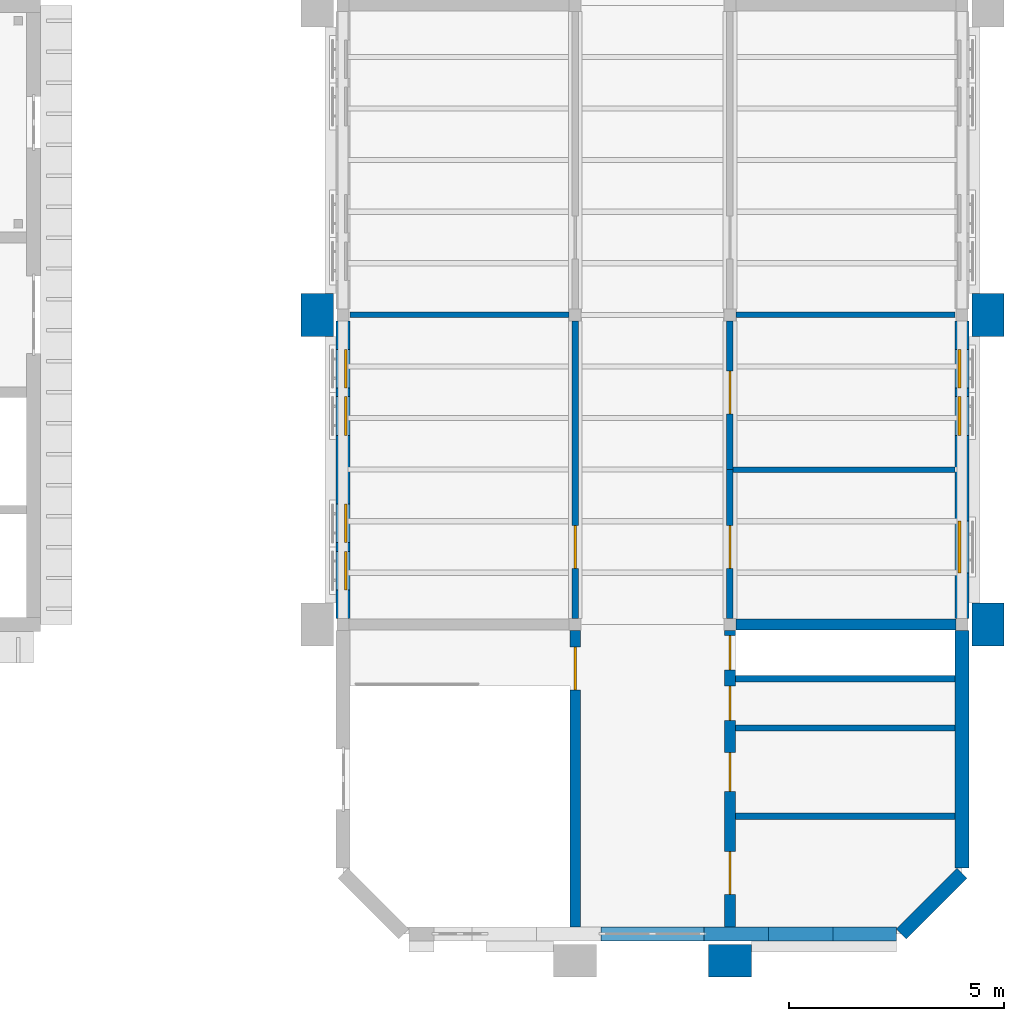
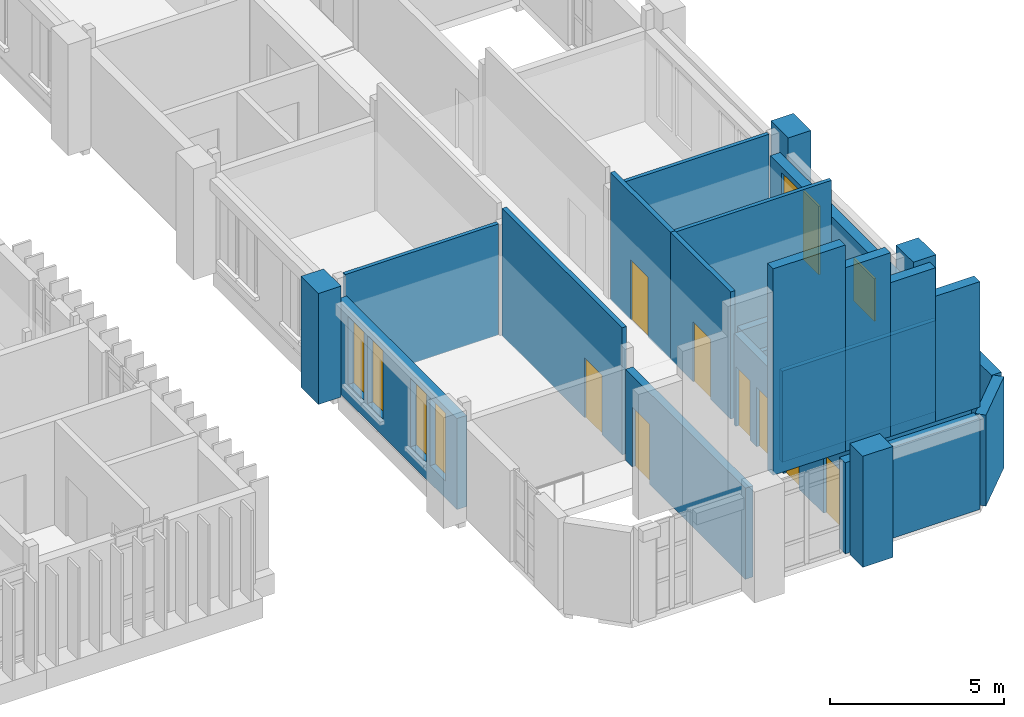
# One storey, part 46 of 71: 25 walls, 8 doors, 7 windows, 15 openings.
"""IFC4 building model written with IfcOpenShell, lengths in metres."""

from ifc_helpers import new_model, si_unit, direction, frame, frame_2d, origin, place, context, subcontext, project, spatial, rectangle, extrude, material, layer, layer_set, type_object, element, fill, save


model = new_model("IFC4")

# Units and contexts
model_context = context("Model", 3, precision=1e-05, world=origin(), true_north=direction((0.0, 1.0)))
body_context = subcontext(model_context, "Body", "Model", "MODEL_VIEW")
ifc_project = project(units=[si_unit("LENGTHUNIT", "METRE"), si_unit("AREAUNIT", "SQUARE_METRE"), si_unit("VOLUMEUNIT", "CUBIC_METRE"), si_unit("PLANEANGLEUNIT", "RADIAN"), si_unit("MASSUNIT", "GRAM", prefix="KILO")], contexts=[model_context])

# Site, building, storey
site_placement = place(None, origin())
site = spatial("IfcSite", under=ifc_project, at=site_placement, CompositionType="ELEMENT")
building_placement = place(site_placement, origin())
building = spatial("IfcBuilding", under=site, at=building_placement, Name="Mazhai Court Health Centre", CompositionType="ELEMENT")
storey_placement = place(building_placement, frame((0.0, 0.0, 10.199951171875)))
storey = spatial("IfcBuildingStorey", under=building, at=storey_placement, Name="L02", CompositionType="ELEMENT", Elevation=10.199951171875)

# Walls
ifc_material_1 = material(Name="Clay brick masonry", Category="masonry")
ifc_layer_1 = layer(ifc_material_1, 0.330078125)
ifc_layer_set_1 = layer_set([ifc_layer_1], Name="BRICK GABLE 330")
wall_type_1 = type_object("IfcWallType", Name="BRICK GABLE 330", PredefinedType="SOLIDWALL", material=ifc_layer_set_1)
wall_1_placement = place(storey_placement, frame((144.199951171875, 6.199951171875, 3.60009765625), z_axis=(0.0, 0.0, 1.0), x_axis=(-1.0, 0.0, 0.0)))
element("IfcWall", 1, at=wall_1_placement, inside=storey, type_object=wall_type_1, Name="EG-V6-S3", PredefinedType="SOLIDWALL", context=body_context, shape_type="SweptSolid", body=[
    extrude(rectangle(XDim=2.39990234375, YDim=0.330078125, at=frame_2d((1.199951171875, 0.0))), origin(), (0.0, 0.0, 1.0), 7.25),
])
wall_2_placement = place(storey_placement, frame((145.699951171875, 6.199951171875, 3.60009765625), z_axis=(0.0, 0.0, 1.0), x_axis=(-1.0, 0.0, 0.0)))
element("IfcWall", 2, at=wall_2_placement, inside=storey, type_object=wall_type_1, Name="EG-V6-S4", PredefinedType="SOLIDWALL", context=body_context, shape_type="SweptSolid", body=[
    extrude(rectangle(XDim=1.5, YDim=0.330078125, at=frame_2d((0.75, 0.0))), origin(), (0.0, 0.0, 1.0), 6.449951171875),
])
wall_3_placement = place(storey_placement, frame((147.199951171875, 6.199951171875, 3.60009765625), z_axis=(0.0, 0.0, 1.0), x_axis=(-1.0, 0.0, 0.0)))
element("IfcWall", 3, at=wall_3_placement, inside=storey, type_object=wall_type_1, Name="EG-V6-S5", PredefinedType="SOLIDWALL", context=body_context, shape_type="SweptSolid", body=[
    extrude(rectangle(XDim=1.5, YDim=0.330078125, at=frame_2d((0.75, 0.0))), origin(), (0.0, 0.0, 1.0), 5.39990234375),
])
wall_4_placement = place(storey_placement, frame((148.6689453125, 6.199951171875, 3.60009765625), z_axis=(0.0, 0.0, 1.0), x_axis=(-1.0, 0.0, 0.0)))
element("IfcWall", 4, at=wall_4_placement, inside=storey, type_object=wall_type_1, Name="EG-V6-S6", PredefinedType="SOLIDWALL", context=body_context, shape_type="SweptSolid", body=[
    extrude(rectangle(XDim=1.468994140625, YDim=0.330078125, at=frame_2d((0.734375, 0.0))), origin(), (0.0, 0.0, 1.0), 4.39990234375),
])
ifc_material_2 = material(Name="Clay brick masonry", Category="masonry")
ifc_layer_2 = layer(ifc_material_2, 0.75)
ifc_layer_set_2 = layer_set([ifc_layer_2], Name="BRICK PIER 750")
wall_type_2 = type_object("IfcWallType", Name="BRICK PIER 750", PredefinedType="SOLIDWALL", material=ifc_layer_set_2)
for number, where, z_axis, x_axis, name in (
    (5, (135.199951171875, 20.10009765625, 0.0), (0.0, 0.0, 1.0), (0.0, 1.0, 0.0), "EP-V6-L02-A2"),
    (6, (150.800048828125, 13.89990234375, 0.0), (0.0, 0.0, 1.0), (0.0, -1.0, 0.0), "EP-V6-L02-B1"),
    (7, (150.800048828125, 21.10009765625, 0.0), (0.0, 0.0, 1.0), (0.0, -1.0, 0.0), "EP-V6-L02-B2"),
    (8, (145.300048828125, 5.574951171875, 0.0), (0.0, 0.0, 1.0), (-1.0, 0.0, 0.0), "EP-V6-L02-S90"),
):
    element("IfcWall", number, at=place(storey_placement, frame(where, z_axis=z_axis, x_axis=x_axis)), inside=storey, type_object=wall_type_2, Name=name, PredefinedType="SOLIDWALL", context=body_context, shape_type="SweptSolid", body=[
        extrude(rectangle(XDim=1.0, YDim=0.75, at=frame_2d((0.5, 0.0))), origin(), (0.0, 0.0, 1.0), 3.900146484375),
    ])

# Wall, openings, windows
ifc_material_3 = material(Name="Clay brick masonry", Category="masonry")
ifc_layer_3 = layer(ifc_material_3, 0.330078125)
ifc_layer_set_3 = layer_set([ifc_layer_3], Name="BRICK WALL 330 EXTERNAL")
wall_type_3 = type_object("IfcWallType", Name="BRICK WALL 330 EXTERNAL", PredefinedType="SOLIDWALL", material=ifc_layer_set_3)
wall_5_placement = place(storey_placement, frame((135.800048828125, 13.5400390625, 0.0), z_axis=(0.0, 0.0, 1.0), x_axis=(0.0, 1.0, 0.0)))
wall_5 = element("IfcWall", 9, at=wall_5_placement, inside=storey, type_object=wall_type_3, Name="EW-V6-L02-A1p0", PredefinedType="SOLIDWALL", context=body_context, shape_type="SweptSolid", body=[
    extrude(rectangle(XDim=6.919921875, YDim=0.330078125, at=frame_2d((3.4599609375, 0.0))), origin(), (0.0, 0.0, 1.0), 3.199951171875),
])
opening_1_placement = place(wall_5_placement, frame((0.659912109375, 0.0, 0.60009765625)))
opening_1 = element("IfcOpeningElement", 10, at=opening_1_placement, cuts=wall_5, Name="Opening W14", PredefinedType="OPENING", context=body_context, shape_type="SweptSolid", body=[
    extrude(rectangle(XDim=0.89990234375, YDim=2.39990234375, at=frame_2d((0.449951171875, 1.199951171875))), frame((0.0, 0.175048828125, 0.0), z_axis=(0.0, -1.0, 0.0), x_axis=(1.0, 0.0, 0.0)), (0.0, 0.0, 1.0), 0.35009765625),
])
opening_2_placement = place(wall_5_placement, frame((1.760009765625, 0.0, 0.60009765625)))
opening_2 = element("IfcOpeningElement", 11, at=opening_2_placement, cuts=wall_5, Name="Opening W14", PredefinedType="OPENING", context=body_context, shape_type="SweptSolid", body=[
    extrude(rectangle(XDim=0.89990234375, YDim=2.39990234375, at=frame_2d((0.449951171875, 1.199951171875))), frame((0.0, 0.175048828125, 0.0), z_axis=(0.0, -1.0, 0.0), x_axis=(1.0, 0.0, 0.0)), (0.0, 0.0, 1.0), 0.35009765625),
])
opening_3_placement = place(wall_5_placement, frame((4.260009765625, 0.0, 0.60009765625)))
opening_3 = element("IfcOpeningElement", 12, at=opening_3_placement, cuts=wall_5, Name="Opening W14", PredefinedType="OPENING", context=body_context, shape_type="SweptSolid", body=[
    extrude(rectangle(XDim=0.89990234375, YDim=2.39990234375, at=frame_2d((0.449951171875, 1.199951171875))), frame((0.0, 0.175048828125, 0.0), z_axis=(0.0, -1.0, 0.0), x_axis=(1.0, 0.0, 0.0)), (0.0, 0.0, 1.0), 0.35009765625),
])
opening_4_placement = place(wall_5_placement, frame((5.360107421875, 0.0, 0.60009765625)))
opening_4 = element("IfcOpeningElement", 13, at=opening_4_placement, cuts=wall_5, Name="Opening W14", PredefinedType="OPENING", context=body_context, shape_type="SweptSolid", body=[
    extrude(rectangle(XDim=0.89990234375, YDim=2.39990234375, at=frame_2d((0.449951171875, 1.199951171875))), frame((0.0, 0.175048828125, 0.0), z_axis=(0.0, -1.0, 0.0), x_axis=(1.0, 0.0, 0.0)), (0.0, 0.0, 1.0), 0.35009765625),
])
ifc_material_4 = material(Name="Teak timber frame, glazed", Category="wood")
window_type_1 = type_object("IfcWindowType", Name="WINDOW TALL PAIRED 900x2400", PartitioningType="SINGLE_PANEL", PredefinedType="WINDOW", material=ifc_material_4)
window_1_placement = place(opening_1_placement, origin())
window_1 = element("IfcWindow", 14, at=window_1_placement, inside=storey, type_object=window_type_1, Name="W14 WN-V6-L02-A10a", OverallHeight=2.39990234375, OverallWidth=0.89990234375, PartitioningType="SINGLE_PANEL", PredefinedType="WINDOW", context=body_context, shape_type="SweptSolid", body=[
    extrude(rectangle(XDim=0.89990234375, YDim=2.39990234375, at=frame_2d((0.449951171875, 1.199951171875))), frame((0.0, -0.030029296875, 0.0), z_axis=(0.0, -1.0, 0.0), x_axis=(1.0, 0.0, 0.0)), (0.0, 0.0, 1.0), 0.06005859375),
])
fill(opening_1, window_1)
window_2_placement = place(opening_2_placement, origin())
window_2 = element("IfcWindow", 15, at=window_2_placement, inside=storey, type_object=window_type_1, Name="W14 WN-V6-L02-A10b", OverallHeight=2.39990234375, OverallWidth=0.89990234375, PartitioningType="SINGLE_PANEL", PredefinedType="WINDOW", context=body_context, shape_type="SweptSolid", body=[
    extrude(rectangle(XDim=0.89990234375, YDim=2.39990234375, at=frame_2d((0.449951171875, 1.199951171875))), frame((0.0, -0.030029296875, 0.0), z_axis=(0.0, -1.0, 0.0), x_axis=(1.0, 0.0, 0.0)), (0.0, 0.0, 1.0), 0.06005859375),
])
fill(opening_2, window_2)
window_3_placement = place(opening_3_placement, origin())
window_3 = element("IfcWindow", 16, at=window_3_placement, inside=storey, type_object=window_type_1, Name="W14 WN-V6-L02-A11a", OverallHeight=2.39990234375, OverallWidth=0.89990234375, PartitioningType="SINGLE_PANEL", PredefinedType="WINDOW", context=body_context, shape_type="SweptSolid", body=[
    extrude(rectangle(XDim=0.89990234375, YDim=2.39990234375, at=frame_2d((0.449951171875, 1.199951171875))), frame((0.0, -0.030029296875, 0.0), z_axis=(0.0, -1.0, 0.0), x_axis=(1.0, 0.0, 0.0)), (0.0, 0.0, 1.0), 0.06005859375),
])
fill(opening_3, window_3)
window_4_placement = place(opening_4_placement, origin())
window_4 = element("IfcWindow", 17, at=window_4_placement, inside=storey, type_object=window_type_1, Name="W14 WN-V6-L02-A11b", OverallHeight=2.39990234375, OverallWidth=0.89990234375, PartitioningType="SINGLE_PANEL", PredefinedType="WINDOW", context=body_context, shape_type="SweptSolid", body=[
    extrude(rectangle(XDim=0.89990234375, YDim=2.39990234375, at=frame_2d((0.449951171875, 1.199951171875))), frame((0.0, -0.030029296875, 0.0), z_axis=(0.0, -1.0, 0.0), x_axis=(1.0, 0.0, 0.0)), (0.0, 0.0, 1.0), 0.06005859375),
])
fill(opening_4, window_4)

# Wall
wall_6_placement = place(storey_placement, frame((150.199951171875, 13.260009765625, 0.0), z_axis=(0.0, 0.0, 1.0), x_axis=(0.0, -1.0, 0.0)))
element("IfcWall", 18, at=wall_6_placement, inside=storey, type_object=wall_type_3, Name="EW-V6-L02-B0", PredefinedType="SOLIDWALL", context=body_context, shape_type="SweptSolid", body=[
    extrude(rectangle(XDim=5.529052734375, YDim=0.330078125, at=frame_2d((2.7646484375, 0.0))), origin(), (0.0, 0.0, 1.0), 3.199951171875),
])

# Wall, openings, windows
wall_7_placement = place(storey_placement, frame((150.199951171875, 20.4599609375, 0.0), z_axis=(0.0, 0.0, 1.0), x_axis=(0.0, -1.0, 0.0)))
wall_7 = element("IfcWall", 19, at=wall_7_placement, inside=storey, type_object=wall_type_3, Name="EW-V6-L02-B1p0", PredefinedType="SOLIDWALL", context=body_context, shape_type="SweptSolid", body=[
    extrude(rectangle(XDim=6.919921875, YDim=0.330078125, at=frame_2d((3.4599609375, 0.0))), origin(), (0.0, 0.0, 1.0), 3.199951171875),
])
opening_5_placement = place(wall_7_placement, frame((4.659912109375, 0.0, 0.89990234375)))
opening_5 = element("IfcOpeningElement", 20, at=opening_5_placement, cuts=wall_7, Name="Opening W12", PredefinedType="OPENING", context=body_context, shape_type="SweptSolid", body=[
    extrude(rectangle(XDim=1.199951171875, YDim=1.5, at=frame_2d((0.60009765625, 0.75))), frame((0.0, 0.175048828125, 0.0), z_axis=(0.0, -1.0, 0.0), x_axis=(1.0, 0.0, 0.0)), (0.0, 0.0, 1.0), 0.35009765625),
])
opening_6_placement = place(wall_7_placement, frame((1.760009765625, 0.0, 0.60009765625)))
opening_6 = element("IfcOpeningElement", 21, at=opening_6_placement, cuts=wall_7, Name="Opening W14", PredefinedType="OPENING", context=body_context, shape_type="SweptSolid", body=[
    extrude(rectangle(XDim=0.89990234375, YDim=2.39990234375, at=frame_2d((0.449951171875, 1.199951171875))), frame((0.0, 0.175048828125, 0.0), z_axis=(0.0, -1.0, 0.0), x_axis=(1.0, 0.0, 0.0)), (0.0, 0.0, 1.0), 0.35009765625),
])
opening_7_placement = place(wall_7_placement, frame((0.659912109375, 0.0, 0.60009765625)))
opening_7 = element("IfcOpeningElement", 22, at=opening_7_placement, cuts=wall_7, Name="Opening W14", PredefinedType="OPENING", context=body_context, shape_type="SweptSolid", body=[
    extrude(rectangle(XDim=0.89990234375, YDim=2.39990234375, at=frame_2d((0.449951171875, 1.199951171875))), frame((0.0, 0.175048828125, 0.0), z_axis=(0.0, -1.0, 0.0), x_axis=(1.0, 0.0, 0.0)), (0.0, 0.0, 1.0), 0.35009765625),
])
ifc_material_5 = material(Name="Teak timber frame, glazed", Category="wood")
window_type_2 = type_object("IfcWindowType", Name="WINDOW OFFICE 1200x1500", PartitioningType="SINGLE_PANEL", PredefinedType="WINDOW", material=ifc_material_5)
window_5_placement = place(opening_5_placement, origin())
window_5 = element("IfcWindow", 23, at=window_5_placement, inside=storey, type_object=window_type_2, Name="W12 WN-V6-L02-B10", OverallHeight=1.5, OverallWidth=1.199951171875, PartitioningType="SINGLE_PANEL", PredefinedType="WINDOW", context=body_context, shape_type="SweptSolid", body=[
    extrude(rectangle(XDim=1.199951171875, YDim=1.5, at=frame_2d((0.60009765625, 0.75))), frame((0.0, -0.030029296875, 0.0), z_axis=(0.0, -1.0, 0.0), x_axis=(1.0, 0.0, 0.0)), (0.0, 0.0, 1.0), 0.06005859375),
])
fill(opening_5, window_5)
window_6_placement = place(opening_6_placement, origin())
window_6 = element("IfcWindow", 24, at=window_6_placement, inside=storey, type_object=window_type_1, Name="W14 WN-V6-L02-B11a", OverallHeight=2.39990234375, OverallWidth=0.89990234375, PartitioningType="SINGLE_PANEL", PredefinedType="WINDOW", context=body_context, shape_type="SweptSolid", body=[
    extrude(rectangle(XDim=0.89990234375, YDim=2.39990234375, at=frame_2d((0.449951171875, 1.199951171875))), frame((0.0, -0.030029296875, 0.0), z_axis=(0.0, -1.0, 0.0), x_axis=(1.0, 0.0, 0.0)), (0.0, 0.0, 1.0), 0.06005859375),
])
fill(opening_6, window_6)
window_7_placement = place(opening_7_placement, origin())
window_7 = element("IfcWindow", 25, at=window_7_placement, inside=storey, type_object=window_type_1, Name="W14 WN-V6-L02-B11b", OverallHeight=2.39990234375, OverallWidth=0.89990234375, PartitioningType="SINGLE_PANEL", PredefinedType="WINDOW", context=body_context, shape_type="SweptSolid", body=[
    extrude(rectangle(XDim=0.89990234375, YDim=2.39990234375, at=frame_2d((0.449951171875, 1.199951171875))), frame((0.0, -0.030029296875, 0.0), z_axis=(0.0, -1.0, 0.0), x_axis=(1.0, 0.0, 0.0)), (0.0, 0.0, 1.0), 0.06005859375),
])
fill(opening_7, window_7)

# Walls
wall_8_placement = place(storey_placement, frame((148.6689453125, 6.199951171875, 0.0), z_axis=(0.0, 0.0, 1.0), x_axis=(-1.0, 0.0, 0.0)))
element("IfcWall", 26, at=wall_8_placement, inside=storey, type_object=wall_type_3, Name="EW-V6-L02-Sp2", PredefinedType="SOLIDWALL", context=body_context, shape_type="SweptSolid", body=[
    extrude(rectangle(XDim=4.468994140625, YDim=0.330078125, at=frame_2d((2.234375, 0.0))), origin(), (0.0, 0.0, 1.0), 3.199951171875),
])
wall_9_placement = place(storey_placement, frame((150.199951171875, 7.614013671875, 0.0), z_axis=(0.0, 0.0, 1.0), x_axis=(-0.707106781187, -0.707106781187, 0.0)))
element("IfcWall", 27, at=wall_9_placement, inside=storey, type_object=wall_type_3, Name="EW-V6-L02-CHB", PredefinedType="SOLIDWALL", context=body_context, shape_type="SweptSolid", body=[
    extrude(rectangle(XDim=1.999755859375, YDim=0.330078125, at=frame_2d((1.0, 0.0))), origin(), (0.0, 0.0, 1.0), 3.199951171875),
])
ifc_material_6 = material(Name="Gypsum plasterboard partition")
ifc_layer_4 = layer(ifc_material_6, 0.125)
ifc_layer_set_4 = layer_set([ifc_layer_4], Name="PARTITION 125 STUD EI30")
wall_type_4 = type_object("IfcWallType", Name="PARTITION 125 STUD EI30", PredefinedType="PARTITIONING", material=ifc_layer_set_4)
wall_10_placement = place(storey_placement, frame((135.965087890625, 20.60009765625, 0.0), z_axis=(0.0, 0.0, 1.0), x_axis=(1.0, 0.0, 0.0)))
element("IfcWall", 28, at=wall_10_placement, inside=storey, type_object=wall_type_4, Name="wall-V6-L02-A0-cross-1a", PredefinedType="PARTITIONING", context=body_context, shape_type="SweptSolid", body=[
    extrude(rectangle(XDim=5.094970703125, YDim=0.125, at=frame_2d((2.54736328125, 0.0))), origin(), (0.0, 0.0, 1.0), 3.900146484375),
])
wall_11_placement = place(storey_placement, frame((150.034912109375, 17.0, 0.0), z_axis=(0.0, 0.0, 1.0), x_axis=(-1.0, 0.0, 0.0)))
element("IfcWall", 29, at=wall_11_placement, inside=storey, type_object=wall_type_4, Name="wall-V6-L02-B0-cross-1a", PredefinedType="PARTITIONING", context=body_context, shape_type="SweptSolid", body=[
    extrude(rectangle(XDim=5.159912109375, YDim=0.125, at=frame_2d((2.580078125, 0.0))), origin(), (0.0, 0.0, 1.0), 4.466552734375),
])
wall_12_placement = place(storey_placement, frame((150.034912109375, 20.60009765625, 0.0), z_axis=(0.0, 0.0, 1.0), x_axis=(-1.0, 0.0, 0.0)))
element("IfcWall", 30, at=wall_12_placement, inside=storey, type_object=wall_type_4, Name="wall-V6-L02-B0-cross-2a", PredefinedType="PARTITIONING", context=body_context, shape_type="SweptSolid", body=[
    extrude(rectangle(XDim=5.094970703125, YDim=0.125, at=frame_2d((2.54736328125, 0.0))), origin(), (0.0, 0.0, 1.0), 3.900146484375),
])

# Wall, opening, door
ifc_material_7 = material(Name="Gypsum plasterboard partition")
ifc_layer_5 = layer(ifc_material_7, 0.14990234375)
ifc_layer_set_5 = layer_set([ifc_layer_5], Name="PARTITION 150 CORRIDOR EI60")
wall_type_5 = type_object("IfcWallType", Name="PARTITION 150 CORRIDOR EI60", PredefinedType="PARTITIONING", material=ifc_layer_set_5)
wall_13_placement = place(storey_placement, frame((141.199951171875, 13.5400390625, 0.0), z_axis=(0.0, 0.0, 1.0), x_axis=(0.0, 1.0, 0.0)))
wall_13 = element("IfcWall", 31, at=wall_13_placement, inside=storey, type_object=wall_type_5, Name="wall-V6-L02-A0-corr-0a", PredefinedType="PARTITIONING", context=body_context, shape_type="SweptSolid", body=[
    extrude(rectangle(XDim=6.919921875, YDim=0.14990234375, at=frame_2d((3.4599609375, 0.0))), origin(), (0.0, 0.0, 1.0), 4.466552734375),
])
opening_8_placement = place(wall_13_placement, frame((1.159912109375, 0.0, 0.0)))
opening_8 = element("IfcOpeningElement", 32, at=opening_8_placement, cuts=wall_13, Name="Opening D-L02-057", PredefinedType="OPENING", context=body_context, shape_type="SweptSolid", body=[
    extrude(rectangle(XDim=1.0, YDim=2.10009765625, at=frame_2d((0.5, 1.050048828125))), frame((0.0, 0.0849609375, 0.0), z_axis=(0.0, -1.0, 0.0), x_axis=(1.0, 0.0, 0.0)), (0.0, 0.0, 1.0), 0.169921875),
])
ifc_material_8 = material(Name="Hardwood door leaf", Category="wood")
door_type_1 = type_object("IfcDoorType", Name="DOOR 1000x2100 FD30S SINGLE", OperationType="NOTDEFINED", PredefinedType="DOOR", material=ifc_material_8)
door_1_placement = place(opening_8_placement, origin())
door_1 = element("IfcDoor", 33, at=door_1_placement, inside=storey, type_object=door_type_1, Name="door-V6-L02-A0-community-learning-room", OperationType="SINGLE_SWING_LEFT", OverallHeight=2.10009765625, OverallWidth=1.0, PredefinedType="DOOR", context=body_context, shape_type="SweptSolid", body=[
    extrude(rectangle(XDim=1.0, YDim=2.10009765625, at=frame_2d((0.5, 1.050048828125))), frame((0.0, 0.02490234375, 0.0), z_axis=(0.0, -1.0, 0.0), x_axis=(1.0, 0.0, 0.0)), (0.0, 0.0, 1.0), 0.050048828125),
])
fill(opening_8, door_1)

wall_14_placement = place(storey_placement, frame((144.800048828125, 17.0, 0.0), z_axis=(0.0, 0.0, 1.0), x_axis=(0.0, -1.0, 0.0)))
wall_14 = element("IfcWall", 34, at=wall_14_placement, inside=storey, type_object=wall_type_5, Name="wall-V6-L02-B0-corr-0a", PredefinedType="PARTITIONING", context=body_context, shape_type="SweptSolid", body=[
    extrude(rectangle(XDim=3.4599609375, YDim=0.14990234375, at=frame_2d((1.72998046875, 0.0))), origin(), (0.0, 0.0, 1.0), 4.466552734375),
])
opening_9_placement = place(wall_14_placement, frame((1.300048828125, 0.0, 0.0)))
opening_9 = element("IfcOpeningElement", 35, at=opening_9_placement, cuts=wall_14, Name="Opening D-L02-069", PredefinedType="OPENING", context=body_context, shape_type="SweptSolid", body=[
    extrude(rectangle(XDim=1.0, YDim=2.10009765625, at=frame_2d((0.5, 1.050048828125))), frame((0.0, 0.0849609375, 0.0), z_axis=(0.0, -1.0, 0.0), x_axis=(1.0, 0.0, 0.0)), (0.0, 0.0, 1.0), 0.169921875),
])
door_2_placement = place(opening_9_placement, origin())
door_2 = element("IfcDoor", 36, at=door_2_placement, inside=storey, type_object=door_type_1, Name="door-V6-L02-B0-health-promotion-office", OperationType="SINGLE_SWING_RIGHT", OverallHeight=2.10009765625, OverallWidth=1.0, PredefinedType="DOOR", context=body_context, shape_type="SweptSolid", body=[
    extrude(rectangle(XDim=1.0, YDim=2.10009765625, at=frame_2d((0.5, 1.050048828125))), frame((0.0, 0.02490234375, 0.0), z_axis=(0.0, -1.0, 0.0), x_axis=(1.0, 0.0, 0.0)), (0.0, 0.0, 1.0), 0.050048828125),
])
fill(opening_9, door_2)

wall_15_placement = place(storey_placement, frame((144.800048828125, 20.4599609375, 0.0), z_axis=(0.0, 0.0, 1.0), x_axis=(0.0, -1.0, 0.0)))
wall_15 = element("IfcWall", 37, at=wall_15_placement, inside=storey, type_object=wall_type_5, Name="wall-V6-L02-B0-corr-1a", PredefinedType="PARTITIONING", context=body_context, shape_type="SweptSolid", body=[
    extrude(rectangle(XDim=3.4599609375, YDim=0.14990234375, at=frame_2d((1.72998046875, 0.0))), origin(), (0.0, 0.0, 1.0), 4.466552734375),
])
opening_10_placement = place(wall_15_placement, frame((1.159912109375, 0.0, 0.0)))
opening_10 = element("IfcOpeningElement", 38, at=opening_10_placement, cuts=wall_15, Name="Opening D-L02-070", PredefinedType="OPENING", context=body_context, shape_type="SweptSolid", body=[
    extrude(rectangle(XDim=1.0, YDim=2.10009765625, at=frame_2d((0.5, 1.050048828125))), frame((0.0, 0.0849609375, 0.0), z_axis=(0.0, -1.0, 0.0), x_axis=(1.0, 0.0, 0.0)), (0.0, 0.0, 1.0), 0.169921875),
])
door_3_placement = place(opening_10_placement, origin())
door_3 = element("IfcDoor", 39, at=door_3_placement, inside=storey, type_object=door_type_1, Name="door-V6-L02-B0-volunteer-room", OperationType="SINGLE_SWING_LEFT", OverallHeight=2.10009765625, OverallWidth=1.0, PredefinedType="DOOR", context=body_context, shape_type="SweptSolid", body=[
    extrude(rectangle(XDim=1.0, YDim=2.10009765625, at=frame_2d((0.5, 1.050048828125))), frame((0.0, 0.02490234375, 0.0), z_axis=(0.0, -1.0, 0.0), x_axis=(1.0, 0.0, 0.0)), (0.0, 0.0, 1.0), 0.050048828125),
])
fill(opening_10, door_3)

ifc_material_9 = material(Name="Concrete M40", Category="concrete")
ifc_layer_6 = layer(ifc_material_9, 0.25)
ifc_layer_set_6 = layer_set([ifc_layer_6], Name="RC CORE WALL 250 M40")
wall_type_6 = type_object("IfcWallType", Name="RC CORE WALL 250 M40", PredefinedType="SHEAR", material=ifc_layer_set_6)
wall_16_placement = place(storey_placement, frame((141.199951171875, 6.364990234375, 0.0), z_axis=(0.0, 0.0, 1.0), x_axis=(0.0, 1.0, 0.0)))
wall_16 = element("IfcWall", 40, at=wall_16_placement, inside=storey, type_object=wall_type_6, Name="core-C8-w-stair-corr-L02", PredefinedType="SHEAR", context=body_context, shape_type="SweptSolid", body=[
    extrude(rectangle(XDim=6.89501953125, YDim=0.25, at=frame_2d((3.447509765625, 0.0))), origin(), (0.0, 0.0, 1.0), 3.199951171875),
])
opening_11_placement = place(wall_16_placement, frame((5.510009765625, 0.0, 0.0)))
opening_11 = element("IfcOpeningElement", 41, at=opening_11_placement, cuts=wall_16, Name="Opening D-L02-056", PredefinedType="OPENING", context=body_context, shape_type="SweptSolid", body=[
    extrude(rectangle(XDim=1.0, YDim=2.10009765625, at=frame_2d((0.5, 1.050048828125))), frame((0.0, 0.135009765625, 0.0), z_axis=(0.0, -1.0, 0.0), x_axis=(1.0, 0.0, 0.0)), (0.0, 0.0, 1.0), 0.27001953125),
])
ifc_material_10 = material(Name="Steel fire door leaf", Category="steel")
door_type_2 = type_object("IfcDoorType", Name="FD120S STAIR DOOR 1000x2100", OperationType="SINGLE_SWING_LEFT", PredefinedType="DOOR", material=ifc_material_10)
door_4_placement = place(opening_11_placement, origin())
door_4 = element("IfcDoor", 42, at=door_4_placement, inside=storey, type_object=door_type_2, Name="Stair 8 door L02", OperationType="SINGLE_SWING_RIGHT", OverallHeight=2.10009765625, OverallWidth=1.0, PredefinedType="DOOR", context=body_context, shape_type="SweptSolid", body=[
    extrude(rectangle(XDim=1.0, YDim=2.10009765625, at=frame_2d((0.5, 1.050048828125))), frame((0.0, 0.02490234375, 0.0), z_axis=(0.0, -1.0, 0.0), x_axis=(1.0, 0.0, 0.0)), (0.0, 0.0, 1.0), 0.050048828125),
])
fill(opening_11, door_4)

# Wall, openings, doors
wall_17_placement = place(storey_placement, frame((144.800048828125, 6.364990234375, 0.0), z_axis=(0.0, 0.0, 1.0), x_axis=(0.0, 1.0, 0.0)))
wall_17 = element("IfcWall", 43, at=wall_17_placement, inside=storey, type_object=wall_type_6, Name="core-C8-w-other-corr-L02", PredefinedType="SHEAR", context=body_context, shape_type="SweptSolid", body=[
    extrude(rectangle(XDim=6.89501953125, YDim=0.25, at=frame_2d((3.447509765625, 0.0))), origin(), (0.0, 0.0, 1.0), 3.199951171875),
])
opening_12_placement = place(wall_17_placement, frame((0.75, 0.0, 0.0)))
opening_12 = element("IfcOpeningElement", 44, at=opening_12_placement, cuts=wall_17, Name="Opening D-L02-065", PredefinedType="OPENING", context=body_context, shape_type="SweptSolid", body=[
    extrude(rectangle(XDim=1.0, YDim=2.10009765625, at=frame_2d((0.5, 1.050048828125))), frame((0.0, 0.135009765625, 0.0), z_axis=(0.0, -1.0, 0.0), x_axis=(1.0, 0.0, 0.0)), (0.0, 0.0, 1.0), 0.27001953125),
])
opening_13_placement = place(wall_17_placement, frame((3.14990234375, 0.0, 0.0)))
opening_13 = element("IfcOpeningElement", 45, at=opening_13_placement, cuts=wall_17, Name="Opening D-L02-066", PredefinedType="OPENING", context=body_context, shape_type="SweptSolid", body=[
    extrude(rectangle(XDim=0.89990234375, YDim=2.10009765625, at=frame_2d((0.449951171875, 1.050048828125))), frame((0.0, 0.135009765625, 0.0), z_axis=(0.0, -1.0, 0.0), x_axis=(1.0, 0.0, 0.0)), (0.0, 0.0, 1.0), 0.27001953125),
])
opening_14_placement = place(wall_17_placement, frame((4.800048828125, 0.0, 0.0)))
opening_14 = element("IfcOpeningElement", 46, at=opening_14_placement, cuts=wall_17, Name="Opening D-L02-067", PredefinedType="OPENING", context=body_context, shape_type="SweptSolid", body=[
    extrude(rectangle(XDim=0.800048828125, YDim=2.10009765625, at=frame_2d((0.39990234375, 1.050048828125))), frame((0.0, 0.135009765625, 0.0), z_axis=(0.0, -1.0, 0.0), x_axis=(1.0, 0.0, 0.0)), (0.0, 0.0, 1.0), 0.27001953125),
])
opening_15_placement = place(wall_17_placement, frame((5.97998046875, 0.0, 0.0)))
opening_15 = element("IfcOpeningElement", 47, at=opening_15_placement, cuts=wall_17, Name="Opening D-L02-068", PredefinedType="OPENING", context=body_context, shape_type="SweptSolid", body=[
    extrude(rectangle(XDim=0.800048828125, YDim=2.10009765625, at=frame_2d((0.39990234375, 1.050048828125))), frame((0.0, 0.135009765625, 0.0), z_axis=(0.0, -1.0, 0.0), x_axis=(1.0, 0.0, 0.0)), (0.0, 0.0, 1.0), 0.27001953125),
])
ifc_material_11 = material(Name="Timber door leaf", Category="wood")
door_type_3 = type_object("IfcDoorType", Name="ACCESSIBLE WC DOOR 1000x2100", OperationType="SINGLE_SWING_RIGHT", PredefinedType="DOOR", material=ifc_material_11)
door_5_placement = place(opening_12_placement, origin())
door_5 = element("IfcDoor", 48, at=door_5_placement, inside=storey, type_object=door_type_3, Name="Accessible WC door L02", OperationType="SINGLE_SWING_LEFT", OverallHeight=2.10009765625, OverallWidth=1.0, PredefinedType="DOOR", context=body_context, shape_type="SweptSolid", body=[
    extrude(rectangle(XDim=1.0, YDim=2.10009765625, at=frame_2d((0.5, 1.050048828125))), frame((0.0, 0.02490234375, 0.0), z_axis=(0.0, -1.0, 0.0), x_axis=(1.0, 0.0, 0.0)), (0.0, 0.0, 1.0), 0.050048828125),
])
fill(opening_12, door_5)
ifc_material_12 = material(Name="Timber door leaf", Category="wood")
door_type_4 = type_object("IfcDoorType", Name="CLEANER STORE DOOR 800x2100", OperationType="SINGLE_SWING_LEFT", PredefinedType="DOOR", material=ifc_material_12)
door_6_placement = place(opening_14_placement, origin())
door_6 = element("IfcDoor", 49, at=door_6_placement, inside=storey, type_object=door_type_4, Name="Cleaner door L02", OperationType="SINGLE_SWING_LEFT", OverallHeight=2.10009765625, OverallWidth=0.800048828125, PredefinedType="DOOR", context=body_context, shape_type="SweptSolid", body=[
    extrude(rectangle(XDim=0.800048828125, YDim=2.10009765625, at=frame_2d((0.39990234375, 1.050048828125))), frame((0.0, 0.02490234375, 0.0), z_axis=(0.0, -1.0, 0.0), x_axis=(1.0, 0.0, 0.0)), (0.0, 0.0, 1.0), 0.050048828125),
])
fill(opening_14, door_6)
ifc_material_13 = material(Name="Steel fire door leaf", Category="steel")
door_type_5 = type_object("IfcDoorType", Name="FD60S RISER DOOR 800x2100", OperationType="SINGLE_SWING_LEFT", PredefinedType="DOOR", material=ifc_material_13)
door_7_placement = place(opening_15_placement, origin())
door_7 = element("IfcDoor", 50, at=door_7_placement, inside=storey, type_object=door_type_5, Name="Riser door L02", OperationType="SINGLE_SWING_LEFT", OverallHeight=2.10009765625, OverallWidth=0.800048828125, PredefinedType="DOOR", context=body_context, shape_type="SweptSolid", body=[
    extrude(rectangle(XDim=0.800048828125, YDim=2.10009765625, at=frame_2d((0.39990234375, 1.050048828125))), frame((0.0, 0.02490234375, 0.0), z_axis=(0.0, -1.0, 0.0), x_axis=(1.0, 0.0, 0.0)), (0.0, 0.0, 1.0), 0.050048828125),
])
fill(opening_15, door_7)
ifc_material_14 = material(Name="Timber door leaf", Category="wood")
door_type_6 = type_object("IfcDoorType", Name="WC DOOR 900x2100", OperationType="SINGLE_SWING_LEFT", PredefinedType="DOOR", material=ifc_material_14)
door_8_placement = place(opening_13_placement, origin())
door_8 = element("IfcDoor", 51, at=door_8_placement, inside=storey, type_object=door_type_6, Name="WC door L02", OperationType="SINGLE_SWING_LEFT", OverallHeight=2.10009765625, OverallWidth=0.89990234375, PredefinedType="DOOR", context=body_context, shape_type="SweptSolid", body=[
    extrude(rectangle(XDim=0.89990234375, YDim=2.10009765625, at=frame_2d((0.449951171875, 1.050048828125))), frame((0.0, 0.02490234375, 0.0), z_axis=(0.0, -1.0, 0.0), x_axis=(1.0, 0.0, 0.0)), (0.0, 0.0, 1.0), 0.050048828125),
])
fill(opening_13, door_8)

# Walls
wall_18_placement = place(storey_placement, frame((144.93994140625, 13.39990234375, 0.0), z_axis=(0.0, 0.0, 1.0), x_axis=(1.0, 0.0, 0.0)))
element("IfcWall", 52, at=wall_18_placement, inside=storey, type_object=wall_type_6, Name="core-C8-w-other-line0-L02", PredefinedType="SHEAR", context=body_context, shape_type="SweptSolid", body=[
    extrude(rectangle(XDim=5.1201171875, YDim=0.25, at=frame_2d((2.56005859375, 0.0))), origin(), (0.0, 0.0, 1.0), 3.199951171875),
])
ifc_material_15 = material(Name="Concrete M25", Category="concrete")
ifc_layer_7 = layer(ifc_material_15, 0.14990234375)
ifc_layer_set_7 = layer_set([ifc_layer_7], Name="RC SERVICE ROOM WALL 150 M25")
wall_type_7 = type_object("IfcWallType", Name="RC SERVICE ROOM WALL 150 M25", PredefinedType="PARTITIONING", material=ifc_layer_set_7)
for number, where, z_axis, x_axis, name in (
    (53, (144.925048828125, 8.93994140625, 0.0), (0.0, 0.0, 1.0), (1.0, 0.0, 0.0), "core-C8-w-room0-L02"),
    (54, (144.925048828125, 10.989990234375, 0.0), (0.0, 0.0, 1.0), (1.0, 0.0, 0.0), "core-C8-w-room1-L02"),
    (55, (144.925048828125, 12.139892578125, 0.0), (0.0, 0.0, 1.0), (1.0, 0.0, 0.0), "core-C8-w-room2-L02"),
):
    element("IfcWall", number, at=place(storey_placement, frame(where, z_axis=z_axis, x_axis=x_axis)), inside=storey, type_object=wall_type_7, Name=name, PredefinedType="PARTITIONING", context=body_context, shape_type="SweptSolid", body=[
        extrude(rectangle(XDim=5.10986328125, YDim=0.14990234375, at=frame_2d((2.554931640625, 0.0))), origin(), (0.0, 0.0, 1.0), 3.199951171875),
    ])

save(model, "model.ifc")
